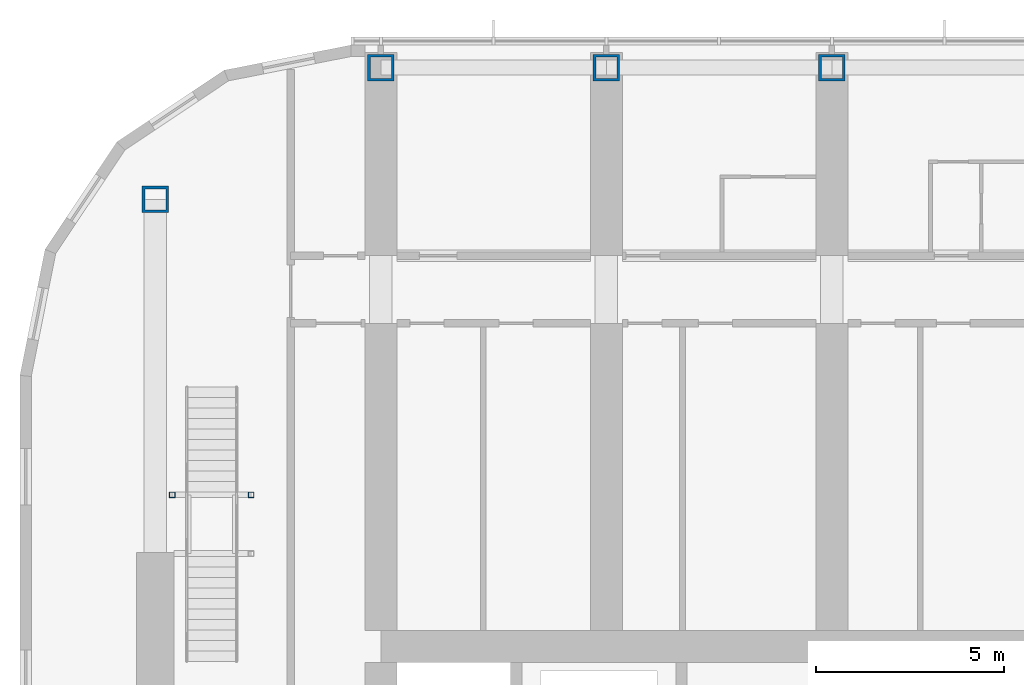
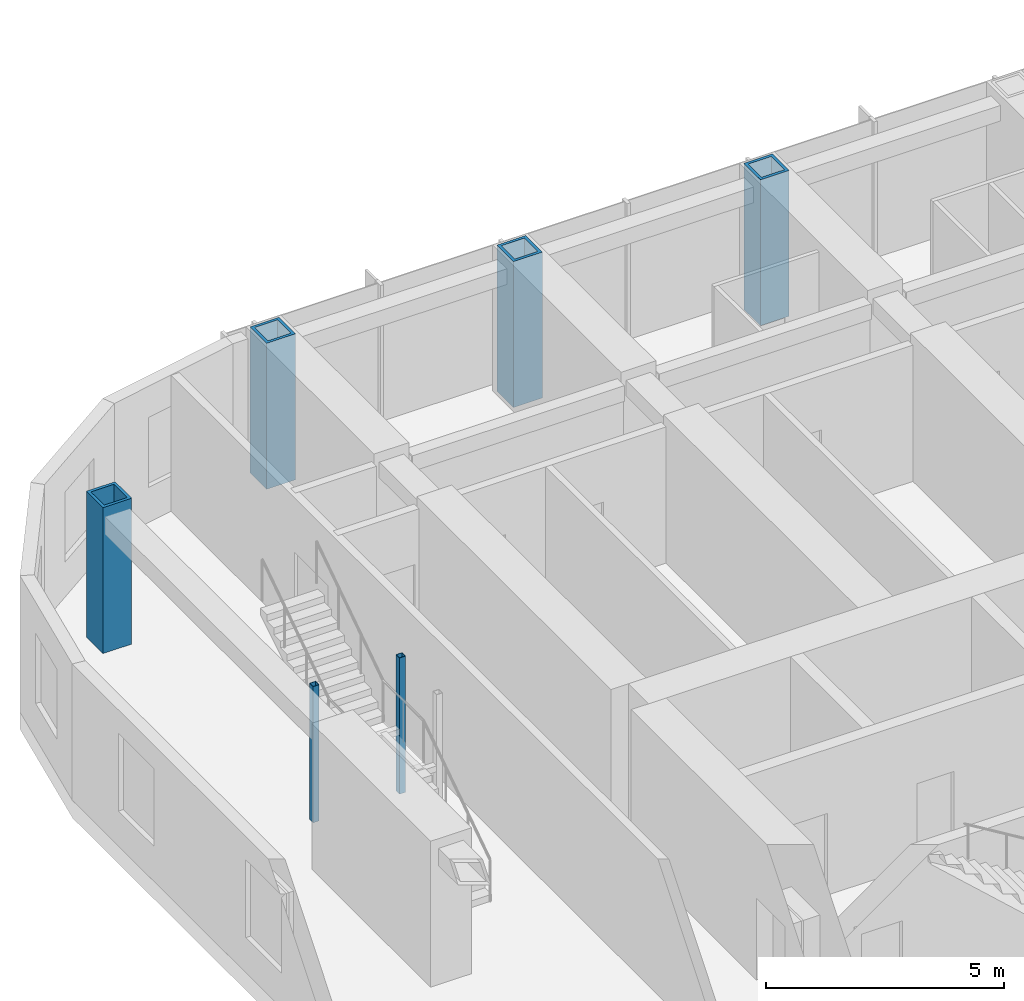
# One storey, part 4 of 29: 6 columns.
"""IFC4 building model written with IfcOpenShell, lengths in metres."""

from ifc_helpers import new_model, si_unit, direction, frame, origin, origin_2d, place, context, subcontext, project, spatial, hollow_rectangle, extrude, material, material_profile, profile_set, type_object, element, save


model = new_model("IFC4")

# Units and contexts
model_context = context("Model", 3, precision=1e-05, world=origin(), true_north=direction((0.0, 1.0)))
body_context = subcontext(model_context, "Body", "Model", "MODEL_VIEW")
ifc_project = project(units=[si_unit("LENGTHUNIT", "METRE"), si_unit("AREAUNIT", "SQUARE_METRE"), si_unit("VOLUMEUNIT", "CUBIC_METRE"), si_unit("PLANEANGLEUNIT", "RADIAN"), si_unit("MASSUNIT", "GRAM", prefix="KILO")], contexts=[model_context])

# Site, building, storey
site_placement = place(None, origin())
site = spatial("IfcSite", under=ifc_project, at=site_placement, CompositionType="ELEMENT")
building_placement = place(site_placement, origin())
building = spatial("IfcBuilding", under=site, at=building_placement, Name="Orbita Commons", CompositionType="ELEMENT")
storey_placement = place(building_placement, frame((0.0, 0.0, 163.60009765625)))
storey = spatial("IfcBuildingStorey", under=building, at=storey_placement, Name="L40", CompositionType="ELEMENT", Elevation=163.60009765625)

# Columns
ifc_material_1 = material(Name="Steel ASTM A992", Category="steel")
ifc_material_profile_1 = material_profile(ifc_material_1, hollow_rectangle(XDim=0.14990234375, YDim=0.14990234375, WallThickness=0.008056640625, at=origin_2d()), Name="SHS 150x150x8")
ifc_profile_set_1 = profile_set([ifc_material_profile_1], Name="Steel ASTM A992")
column_type_1 = type_object("IfcColumnType", Name="Landing post SHS 150x150x8", PredefinedType="COLUMN", material=ifc_profile_set_1)
for number, where, z_axis, x_axis, name in (
    (1, (12.449951171875, 42.235107421875, 0.0), (0.0, 0.0, 1.0), (1.0, 0.0, 0.0), "Neighbourhood stair L40 to L41 landing post 3"),
    (2, (14.550048828125, 42.235107421875, 0.0), (0.0, 0.0, 1.0), (1.0, 0.0, 0.0), "Neighbourhood stair L40 to L41 landing post 4"),
):
    element("IfcColumn", number, at=place(storey_placement, frame(where, z_axis=z_axis, x_axis=x_axis)), inside=storey, type_object=column_type_1, Name=name, PredefinedType="COLUMN", context=body_context, shape_type="SweptSolid", body=[
        extrude(hollow_rectangle(XDim=0.14990234375, YDim=0.14990234375, WallThickness=0.008056640625, at=origin_2d()), origin(), (0.0, 0.0, 1.0), 3.5),
    ])
ifc_material_2 = material(Name="Steel ASTM A572 Gr 50 welded plate", Category="steel")
ifc_material_profile_2 = material_profile(ifc_material_2, hollow_rectangle(XDim=0.699951171875, YDim=0.699951171875, WallThickness=0.070068359375, at=origin_2d()), Name="BOX 700x700x70")
ifc_profile_set_2 = profile_set([ifc_material_profile_2], Name="Steel ASTM A572 Gr 50 welded plate")
column_type_2 = type_object("IfcColumnType", Name="Steel column BOX 700x700x70", PredefinedType="COLUMN", material=ifc_profile_set_2)
for number, where, z_axis, x_axis, name in (
    (3, (18.0, 53.60009765625, 0.0), (0.0, 0.0, 1.0), (1.0, 0.0, 0.0), "Column 4/E L40"),
    (4, (24.0, 53.60009765625, 0.0), (0.0, 0.0, 1.0), (1.0, 0.0, 0.0), "Column 5/E L40"),
    (5, (30.0, 53.60009765625, 0.0), (0.0, 0.0, 1.0), (1.0, 0.0, 0.0), "Column 6/E L40"),
    (6, (12.0, 50.10009765625, 0.0), (0.0, 0.0, 1.0), (1.0, 0.0, 0.0), "Column 3/50.1 L40"),
):
    element("IfcColumn", number, at=place(storey_placement, frame(where, z_axis=z_axis, x_axis=x_axis)), inside=storey, type_object=column_type_2, Name=name, PredefinedType="COLUMN", context=body_context, shape_type="SweptSolid", body=[
        extrude(hollow_rectangle(XDim=0.699951171875, YDim=0.699951171875, WallThickness=0.070068359375, at=origin_2d()), origin(), (0.0, 0.0, 1.0), 3.75),
    ])

save(model, "model.ifc")
